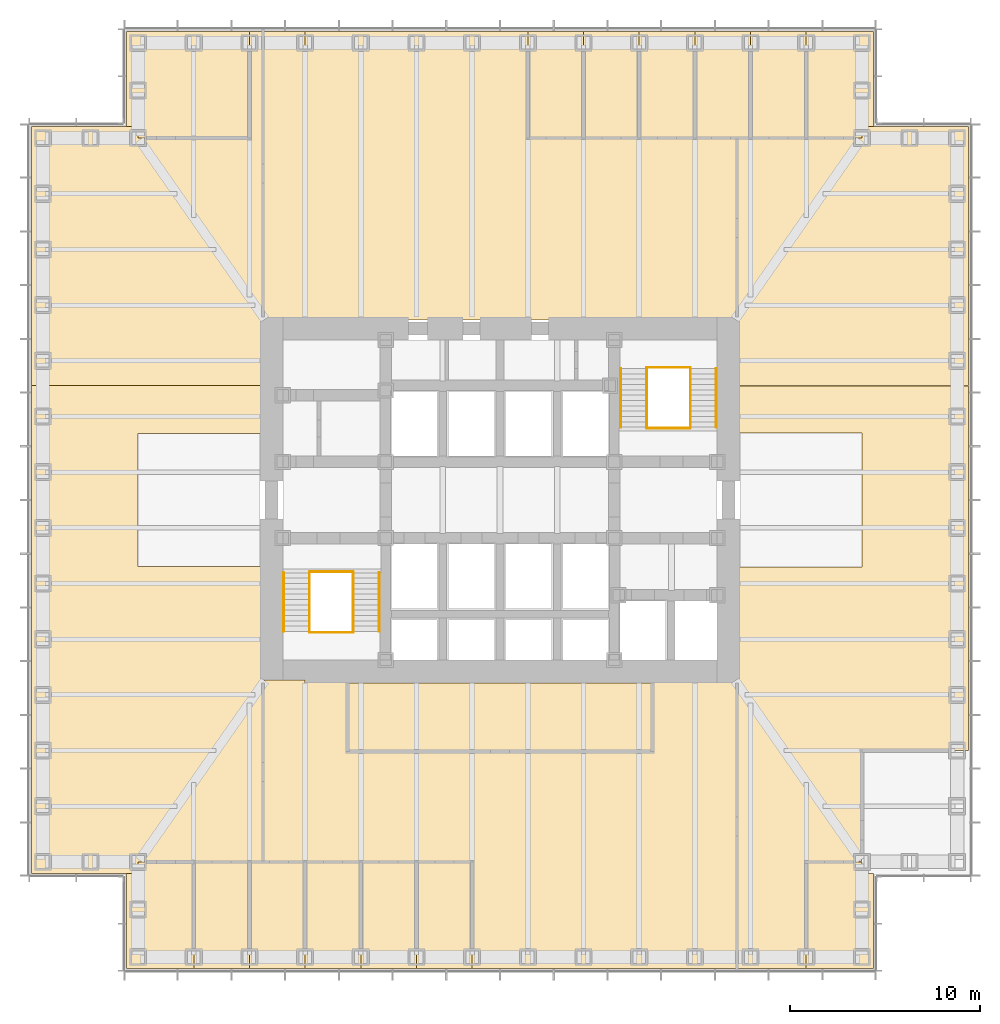
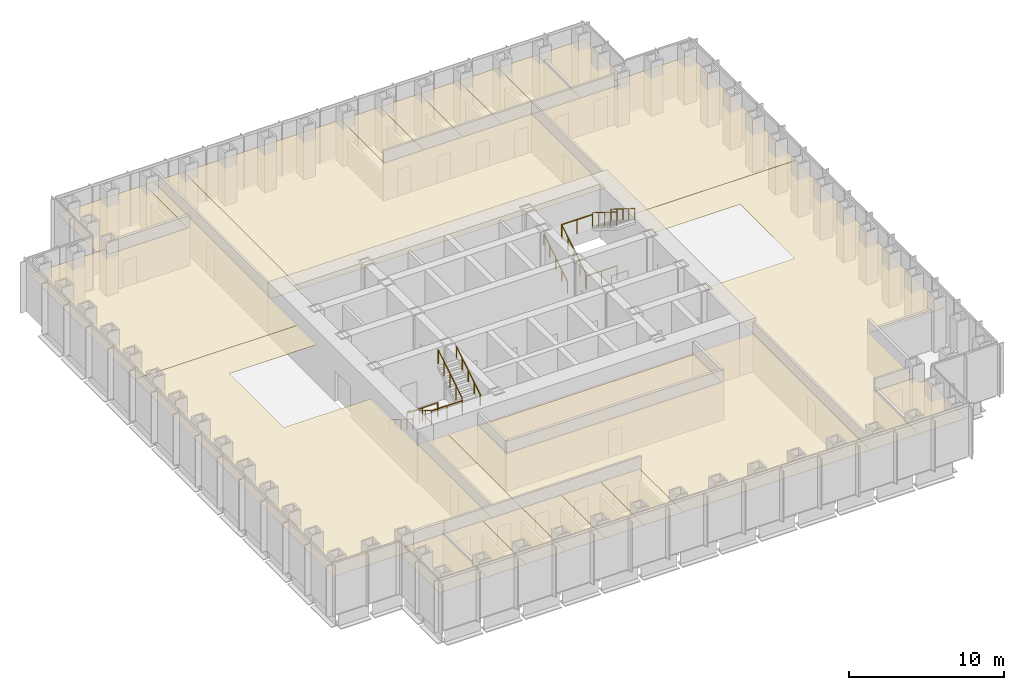
# One storey, part 17 of 17: 23 coverings, 12 railings.
"""IFC4 building model written with IfcOpenShell, lengths in metres."""

from ifc_helpers import new_model, si_unit, direction, frame, origin, origin_2d, place, context, subcontext, project, spatial, polyline, circle, outline, extrude, material, layer, layer_set, type_object, element, save


model = new_model("IFC4")

# Units and contexts
model_context = context("Model", 3, precision=1e-05, world=origin(), true_north=direction((0.0, 1.0)))
body_context = subcontext(model_context, "Body", "Model", "MODEL_VIEW")
ifc_project = project(units=[si_unit("LENGTHUNIT", "METRE"), si_unit("AREAUNIT", "SQUARE_METRE"), si_unit("VOLUMEUNIT", "CUBIC_METRE"), si_unit("PLANEANGLEUNIT", "RADIAN"), si_unit("MASSUNIT", "GRAM", prefix="KILO")], contexts=[model_context])

# Site, building, storey
site_placement = place(None, origin())
site = spatial("IfcSite", under=ifc_project, at=site_placement, CompositionType="ELEMENT")
building_placement = place(site_placement, origin())
building = spatial("IfcBuilding", under=site, at=building_placement, Name="Daluyong Arena Tower", CompositionType="ELEMENT")
storey_placement = place(building_placement, frame((0.0, 0.0, 97.89990234375)))
storey = spatial("IfcBuildingStorey", under=building, at=storey_placement, Name="L21", CompositionType="ELEMENT", Elevation=97.89990234375)

# Coverings
ifc_material_1 = material(Name="Mineral fibre ceiling tile", Category="gypsum board")
ifc_layer = layer(ifc_material_1, 0.02001953125)
ifc_layer_set = layer_set([ifc_layer], Name="Mineral fibre ceiling tile")
covering_type = type_object("IfcCoveringType", Name="Office ceiling", PredefinedType="CEILING", material=ifc_layer_set)
covering_1_placement = place(storey_placement, frame((0.0, 0.0, 2.900146484375)))
element("IfcCovering", 1, at=covering_1_placement, inside=storey, type_object=covering_type, Name="ceiling L21-01", PredefinedType="CEILING", context=body_context, shape_type="SweptSolid", body=[
    extrude(outline(polyline([(36.39990234375, 60.39990234375), (36.39990234375, 55.39990234375), (39.923095703125, 55.39990234375), (39.923095703125, 61.0), (37.0, 61.0), (37.0, 60.39990234375), (36.39990234375, 60.39990234375)])), origin(), (0.0, 0.0, 1.0), 0.02001953125),
])
covering_2_placement = place(storey_placement, frame((0.0, 0.0, 2.900146484375)))
element("IfcCovering", 2, at=covering_2_placement, inside=storey, type_object=covering_type, Name="ceiling L21-02", PredefinedType="CEILING", context=body_context, shape_type="SweptSolid", body=[
    extrude(outline(polyline([(39.923095703125, 61.0), (39.923095703125, 55.39990234375), (42.84619140625, 55.39990234375), (42.84619140625, 61.0), (39.923095703125, 61.0)])), origin(), (0.0, 0.0, 1.0), 0.02001953125),
])
covering_3_placement = place(storey_placement, frame((0.0, 0.0, 2.900146484375)))
element("IfcCovering", 3, at=covering_3_placement, inside=storey, type_object=covering_type, Name="ceiling L21-03", PredefinedType="CEILING", context=body_context, shape_type="SweptSolid", body=[
    extrude(outline(polyline([(42.84619140625, 61.0), (42.84619140625, 55.39990234375), (45.769287109375, 55.39990234375), (45.769287109375, 61.0), (42.84619140625, 61.0)])), origin(), (0.0, 0.0, 1.0), 0.02001953125),
])
covering_4_placement = place(storey_placement, frame((0.0, 0.0, 2.900146484375)))
element("IfcCovering", 4, at=covering_4_placement, inside=storey, type_object=covering_type, Name="ceiling L21-04", PredefinedType="CEILING", context=body_context, shape_type="SweptSolid", body=[
    extrude(outline(polyline([(45.769287109375, 61.0), (45.769287109375, 55.39990234375), (48.6923828125, 55.39990234375), (48.6923828125, 61.0), (45.769287109375, 61.0)])), origin(), (0.0, 0.0, 1.0), 0.02001953125),
])
covering_5_placement = place(storey_placement, frame((0.0, 0.0, 2.900146484375)))
element("IfcCovering", 5, at=covering_5_placement, inside=storey, type_object=covering_type, Name="ceiling L21-05", PredefinedType="CEILING", context=body_context, shape_type="SweptSolid", body=[
    extrude(outline(polyline([(48.6923828125, 61.0), (48.6923828125, 55.39990234375), (51.615478515625, 55.39990234375), (51.615478515625, 61.0), (48.6923828125, 61.0)])), origin(), (0.0, 0.0, 1.0), 0.02001953125),
])
covering_6_placement = place(storey_placement, frame((0.0, 0.0, 2.900146484375)))
element("IfcCovering", 6, at=covering_6_placement, inside=storey, type_object=covering_type, Name="ceiling L21-06", PredefinedType="CEILING", context=body_context, shape_type="SweptSolid", body=[
    extrude(outline(polyline([(51.615478515625, 61.0), (51.615478515625, 55.39990234375), (54.53857421875, 55.39990234375), (54.53857421875, 61.0), (51.615478515625, 61.0)])), origin(), (0.0, 0.0, 1.0), 0.02001953125),
])
covering_7_placement = place(storey_placement, frame((0.0, 0.0, 2.900146484375)))
element("IfcCovering", 7, at=covering_7_placement, inside=storey, type_object=covering_type, Name="ceiling L21-07", PredefinedType="CEILING", context=body_context, shape_type="SweptSolid", body=[
    extrude(outline(polyline([(75.60009765625, 55.39990234375), (75.60009765625, 60.39990234375), (75.0, 60.39990234375), (75.0, 61.0), (72.076904296875, 61.0), (72.076904296875, 55.39990234375), (75.60009765625, 55.39990234375)])), origin(), (0.0, 0.0, 1.0), 0.02001953125),
])
covering_8_placement = place(storey_placement, frame((0.0, 0.0, 2.900146484375)))
element("IfcCovering", 8, at=covering_8_placement, inside=storey, type_object=covering_type, Name="ceiling L21-09", PredefinedType="CEILING", context=body_context, shape_type="SweptSolid", body=[
    extrude(outline(polyline([(42.84619140625, 99.0), (42.84619140625, 104.60009765625), (36.39990234375, 104.60009765625), (36.39990234375, 99.60009765625), (37.0, 99.60009765625), (37.0, 99.0), (42.84619140625, 99.0)])), origin(), (0.0, 0.0, 1.0), 0.02001953125),
])
covering_9_placement = place(storey_placement, frame((0.0, 0.0, 2.900146484375)))
element("IfcCovering", 9, at=covering_9_placement, inside=storey, type_object=covering_type, Name="ceiling L21-10", PredefinedType="CEILING", context=body_context, shape_type="SweptSolid", body=[
    extrude(outline(polyline([(60.384521484375, 99.0), (60.384521484375, 104.60009765625), (57.46142578125, 104.60009765625), (57.46142578125, 99.0), (60.384521484375, 99.0)])), origin(), (0.0, 0.0, 1.0), 0.02001953125),
])
covering_10_placement = place(storey_placement, frame((0.0, 0.0, 2.900146484375)))
element("IfcCovering", 10, at=covering_10_placement, inside=storey, type_object=covering_type, Name="ceiling L21-11", PredefinedType="CEILING", context=body_context, shape_type="SweptSolid", body=[
    extrude(outline(polyline([(63.3076171875, 99.0), (63.3076171875, 104.60009765625), (60.384521484375, 104.60009765625), (60.384521484375, 99.0), (63.3076171875, 99.0)])), origin(), (0.0, 0.0, 1.0), 0.02001953125),
])
covering_11_placement = place(storey_placement, frame((0.0, 0.0, 2.900146484375)))
element("IfcCovering", 11, at=covering_11_placement, inside=storey, type_object=covering_type, Name="ceiling L21-12", PredefinedType="CEILING", context=body_context, shape_type="SweptSolid", body=[
    extrude(outline(polyline([(66.230712890625, 99.0), (66.230712890625, 104.60009765625), (63.3076171875, 104.60009765625), (63.3076171875, 99.0), (66.230712890625, 99.0)])), origin(), (0.0, 0.0, 1.0), 0.02001953125),
])
covering_12_placement = place(storey_placement, frame((0.0, 0.0, 2.900146484375)))
element("IfcCovering", 12, at=covering_12_placement, inside=storey, type_object=covering_type, Name="ceiling L21-13", PredefinedType="CEILING", context=body_context, shape_type="SweptSolid", body=[
    extrude(outline(polyline([(69.15380859375, 99.0), (69.15380859375, 104.60009765625), (66.230712890625, 104.60009765625), (66.230712890625, 99.0), (69.15380859375, 99.0)])), origin(), (0.0, 0.0, 1.0), 0.02001953125),
])
covering_13_placement = place(storey_placement, frame((0.0, 0.0, 2.900146484375)))
element("IfcCovering", 13, at=covering_13_placement, inside=storey, type_object=covering_type, Name="ceiling L21-14", PredefinedType="CEILING", context=body_context, shape_type="SweptSolid", body=[
    extrude(outline(polyline([(72.076904296875, 99.0), (72.076904296875, 104.60009765625), (69.15380859375, 104.60009765625), (69.15380859375, 99.0), (72.076904296875, 99.0)])), origin(), (0.0, 0.0, 1.0), 0.02001953125),
])
covering_14_placement = place(storey_placement, frame((0.0, 0.0, 2.900146484375)))
element("IfcCovering", 14, at=covering_14_placement, inside=storey, type_object=covering_type, Name="ceiling L21-15", PredefinedType="CEILING", context=body_context, shape_type="SweptSolid", body=[
    extrude(outline(polyline([(72.076904296875, 99.0), (75.0, 99.0), (75.0, 99.60009765625), (75.60009765625, 99.60009765625), (75.60009765625, 104.60009765625), (72.076904296875, 104.60009765625), (72.076904296875, 99.0)])), origin(), (0.0, 0.0, 1.0), 0.02001953125),
])
covering_15_placement = place(storey_placement, frame((0.0, 0.0, 2.900146484375)))
element("IfcCovering", 15, at=covering_15_placement, inside=storey, type_object=covering_type, Name="ceiling L21-16", PredefinedType="CEILING", context=body_context, shape_type="SweptSolid", body=[
    extrude(outline(polyline([(48.0, 66.800048828125), (64.0, 66.800048828125), (64.0, 70.39990234375), (48.0, 70.39990234375), (48.0, 66.800048828125)])), origin(), (0.0, 0.0, 1.0), 0.02001953125),
])
covering_16_placement = place(storey_placement, frame((0.0, 0.0, 2.900146484375)))
element("IfcCovering", 16, at=covering_16_placement, inside=storey, type_object=covering_type, Name="ceiling L21-19", PredefinedType="CEILING", context=body_context, shape_type="SweptSolid", body=[
    extrude(outline(polyline([(43.550048828125, 61.0), (45.769287109375, 61.0), (45.769287109375, 70.550048828125), (43.550048828125, 70.550048828125), (43.550048828125, 61.0)])), origin(), (0.0, 0.0, 1.0), 0.02001953125),
])
covering_17_placement = place(storey_placement, frame((0.0, 0.0, 2.900146484375)))
element("IfcCovering", 17, at=covering_17_placement, inside=storey, type_object=covering_type, Name="ceiling L21-20", PredefinedType="CEILING", context=body_context, shape_type="SweptSolid", body=[
    extrude(outline(polyline([(54.53857421875, 55.39990234375), (68.449951171875, 55.39990234375), (68.449951171875, 70.550048828125), (45.769287109375, 70.550048828125), (45.769287109375, 61.0), (54.53857421875, 61.0), (54.53857421875, 55.39990234375)]), holes=[polyline([(48.0, 66.800048828125), (48.0, 70.39990234375), (64.0, 70.39990234375), (64.0, 66.800048828125), (48.0, 66.800048828125)])]), origin(), (0.0, 0.0, 1.0), 0.02001953125),
])
covering_18_placement = place(storey_placement, frame((0.0, 0.0, 2.900146484375)))
element("IfcCovering", 18, at=covering_18_placement, inside=storey, type_object=covering_type, Name="ceiling L21-21", PredefinedType="CEILING", context=body_context, shape_type="SweptSolid", body=[
    extrude(outline(polyline([(45.769287109375, 104.60009765625), (43.550048828125, 104.60009765625), (43.550048828125, 89.449951171875), (45.769287109375, 89.449951171875), (45.769287109375, 104.60009765625)])), origin(), (0.0, 0.0, 1.0), 0.02001953125),
])
covering_19_placement = place(storey_placement, frame((0.0, 0.0, 2.900146484375)))
element("IfcCovering", 19, at=covering_19_placement, inside=storey, type_object=covering_type, Name="ceiling L21-22", PredefinedType="CEILING", context=body_context, shape_type="SweptSolid", body=[
    extrude(outline(polyline([(57.46142578125, 104.60009765625), (45.769287109375, 104.60009765625), (45.769287109375, 89.449951171875), (68.449951171875, 89.449951171875), (68.449951171875, 99.0), (57.46142578125, 99.0), (57.46142578125, 104.60009765625)])), origin(), (0.0, 0.0, 1.0), 0.02001953125),
])
covering_20_placement = place(storey_placement, frame((0.0, 0.0, 2.900146484375)))
element("IfcCovering", 20, at=covering_20_placement, inside=storey, type_object=covering_type, Name="ceiling L21-23", PredefinedType="CEILING", context=body_context, shape_type="SweptSolid", body=[
    extrude(outline(polyline([(43.550048828125, 61.0), (43.550048828125, 76.5), (37.0, 76.5), (37.0, 83.5), (43.550048828125, 83.5), (43.550048828125, 86.0), (31.39990234375, 86.0), (31.39990234375, 60.39990234375), (37.0, 60.39990234375), (37.0, 61.0), (43.550048828125, 61.0)])), origin(), (0.0, 0.0, 1.0), 0.02001953125),
])
covering_21_placement = place(storey_placement, frame((0.0, 0.0, 2.900146484375)))
element("IfcCovering", 21, at=covering_21_placement, inside=storey, type_object=covering_type, Name="ceiling L21-24", PredefinedType="CEILING", context=body_context, shape_type="SweptSolid", body=[
    extrude(outline(polyline([(37.0, 99.60009765625), (31.39990234375, 99.60009765625), (31.39990234375, 86.0), (43.550048828125, 86.0), (43.550048828125, 104.60009765625), (42.84619140625, 104.60009765625), (42.84619140625, 99.0), (37.0, 99.0), (37.0, 99.60009765625)])), origin(), (0.0, 0.0, 1.0), 0.02001953125),
])
covering_22_placement = place(storey_placement, frame((0.0, 0.0, 2.900146484375)))
element("IfcCovering", 22, at=covering_22_placement, inside=storey, type_object=covering_type, Name="ceiling L21-25", PredefinedType="CEILING", context=body_context, shape_type="SweptSolid", body=[
    extrude(outline(polyline([(74.989990234375, 61.010009765625), (74.989990234375, 66.856201171875), (80.590087890625, 66.856201171875), (80.590087890625, 85.989990234375), (68.4599609375, 85.989990234375), (68.4599609375, 83.510009765625), (75.010009765625, 83.510009765625), (75.010009765625, 76.489990234375), (68.4599609375, 76.489990234375), (68.4599609375, 55.409912109375), (72.06689453125, 55.409912109375), (72.06689453125, 61.010009765625), (74.989990234375, 61.010009765625)])), origin(), (0.0, 0.0, 1.0), 0.02001953125),
])
covering_23_placement = place(storey_placement, frame((0.0, 0.0, 2.900146484375)))
element("IfcCovering", 23, at=covering_23_placement, inside=storey, type_object=covering_type, Name="ceiling L21-26", PredefinedType="CEILING", context=body_context, shape_type="SweptSolid", body=[
    extrude(outline(polyline([(68.449951171875, 99.0), (68.449951171875, 86.0), (80.60009765625, 86.0), (80.60009765625, 99.60009765625), (75.0, 99.60009765625), (75.0, 99.0), (68.449951171875, 99.0)])), origin(), (0.0, 0.0, 1.0), 0.02001953125),
])

# Railings
ifc_material_2 = material(Name="Stainless steel handrail", Category="steel")
railing_type_1 = type_object("IfcRailingType", Name="Stair handrail", PredefinedType="HANDRAIL", material=ifc_material_2)
railing_1_placement = place(storey_placement, frame((44.64990234375, 76.175048828125, 0.175048828125)))
element("IfcRailing", 24, at=railing_1_placement, inside=storey, type_object=railing_type_1, Name="exit stair A handrail L21", PredefinedType="HANDRAIL", context=body_context, shape_type="SweptSolid", body=[
    extrude(circle(Radius=0.02392578125, at=origin_2d()), frame((0.0, 0.0, 0.8759765625), z_axis=(0.0, -0.847998304005, 0.529998940003), x_axis=(1.0, 0.0, 0.0)), (0.0, 0.0, 1.0), 3.632080078125),
    extrude(circle(Radius=0.02099609375, at=origin_2d()), origin(), (0.0, 0.0, 1.0), 0.851806640625),
    extrude(circle(Radius=0.02099609375, at=origin_2d()), frame((0.0, -0.77001953125, 0.481201171875)), (0.0, 0.0, 1.0), 0.851806640625),
    extrude(circle(Radius=0.02099609375, at=origin_2d()), frame((0.0, -1.5400390625, 0.96240234375)), (0.0, 0.0, 1.0), 0.851806640625),
    extrude(circle(Radius=0.02099609375, at=origin_2d()), frame((0.0, -2.31005859375, 1.44384765625)), (0.0, 0.0, 1.0), 0.851806640625),
    extrude(circle(Radius=0.02099609375, at=origin_2d()), frame((0.0, -3.080078125, 1.925048828125)), (0.0, 0.0, 1.0), 0.851806640625),
])
for number, where, name in (
    (25, (49.64990234375, 73.094970703125, 2.275146484375), "exit stair A handrail L21"),
    (26, (62.35009765625, 83.824951171875, 0.175048828125), "exit stair B handrail L21"),
):
    element("IfcRailing", number, at=place(storey_placement, frame(where)), inside=storey, type_object=railing_type_1, Name=name, PredefinedType="HANDRAIL", context=body_context, shape_type="SweptSolid", body=[
        extrude(circle(Radius=0.02392578125, at=origin_2d()), frame((0.0, 0.0, 0.8759765625), z_axis=(0.0, 0.847998304005, 0.529998940003), x_axis=(-1.0, 0.0, 0.0)), (0.0, 0.0, 1.0), 3.632080078125),
        extrude(circle(Radius=0.02099609375, at=origin_2d()), origin(), (0.0, 0.0, 1.0), 0.851806640625),
        extrude(circle(Radius=0.02099609375, at=origin_2d()), frame((0.0, 0.77001953125, 0.481201171875)), (0.0, 0.0, 1.0), 0.851806640625),
        extrude(circle(Radius=0.02099609375, at=origin_2d()), frame((0.0, 1.5400390625, 0.96240234375)), (0.0, 0.0, 1.0), 0.851806640625),
        extrude(circle(Radius=0.02099609375, at=origin_2d()), frame((0.0, 2.31005859375, 1.44384765625)), (0.0, 0.0, 1.0), 0.851806640625),
        extrude(circle(Radius=0.02099609375, at=origin_2d()), frame((0.0, 3.080078125, 1.925048828125)), (0.0, 0.0, 1.0), 0.851806640625),
    ])
railing_2_placement = place(storey_placement, frame((67.35009765625, 86.905029296875, 2.275146484375)))
element("IfcRailing", 27, at=railing_2_placement, inside=storey, type_object=railing_type_1, Name="exit stair B handrail L21", PredefinedType="HANDRAIL", context=body_context, shape_type="SweptSolid", body=[
    extrude(circle(Radius=0.02392578125, at=origin_2d()), frame((0.0, 0.0, 0.8759765625), z_axis=(0.0, -0.847998304005, 0.529998940003), x_axis=(1.0, 0.0, 0.0)), (0.0, 0.0, 1.0), 3.632080078125),
    extrude(circle(Radius=0.02099609375, at=origin_2d()), origin(), (0.0, 0.0, 1.0), 0.851806640625),
    extrude(circle(Radius=0.02099609375, at=origin_2d()), frame((0.0, -0.77001953125, 0.481201171875)), (0.0, 0.0, 1.0), 0.851806640625),
    extrude(circle(Radius=0.02099609375, at=origin_2d()), frame((0.0, -1.5400390625, 0.96240234375)), (0.0, 0.0, 1.0), 0.851806640625),
    extrude(circle(Radius=0.02099609375, at=origin_2d()), frame((0.0, -2.31005859375, 1.44384765625)), (0.0, 0.0, 1.0), 0.851806640625),
    extrude(circle(Radius=0.02099609375, at=origin_2d()), frame((0.0, -3.080078125, 1.925048828125)), (0.0, 0.0, 1.0), 0.851806640625),
])
ifc_material_3 = material(Name="Steel balustrade", Category="steel")
railing_type_2 = type_object("IfcRailingType", Name="Stair well guard 1100", PredefinedType="GUARDRAIL", material=ifc_material_3)
railing_3_placement = place(storey_placement, frame((46.0, 76.175048828125, 0.175048828125)))
element("IfcRailing", 28, at=railing_3_placement, inside=storey, type_object=railing_type_2, Name="exit stair A well guard L21", PredefinedType="GUARDRAIL", context=body_context, shape_type="SweptSolid", body=[
    extrude(circle(Radius=0.02392578125, at=origin_2d()), frame((0.0, 0.0, 1.076171875), z_axis=(0.0, -0.847998304005, 0.529998940003), x_axis=(1.0, 0.0, 0.0)), (0.0, 0.0, 1.0), 3.632080078125),
    extrude(circle(Radius=0.02099609375, at=origin_2d()), origin(), (0.0, 0.0, 1.0), 1.052001953125),
    extrude(circle(Radius=0.02099609375, at=origin_2d()), frame((0.0, -0.77001953125, 0.481201171875)), (0.0, 0.0, 1.0), 1.052001953125),
    extrude(circle(Radius=0.02099609375, at=origin_2d()), frame((0.0, -1.5400390625, 0.96240234375)), (0.0, 0.0, 1.0), 1.052001953125),
    extrude(circle(Radius=0.02099609375, at=origin_2d()), frame((0.0, -2.31005859375, 1.44384765625)), (0.0, 0.0, 1.0), 1.052001953125),
    extrude(circle(Radius=0.02099609375, at=origin_2d()), frame((0.0, -3.080078125, 1.925048828125)), (0.0, 0.0, 1.0), 1.052001953125),
])
railing_4_placement = place(storey_placement, frame((48.300048828125, 73.094970703125, 2.275146484375)))
element("IfcRailing", 29, at=railing_4_placement, inside=storey, type_object=railing_type_2, Name="exit stair A well guard L21", PredefinedType="GUARDRAIL", context=body_context, shape_type="SweptSolid", body=[
    extrude(circle(Radius=0.02392578125, at=origin_2d()), frame((0.0, 0.0, 1.076171875), z_axis=(0.0, 0.847998304005, 0.529998940003), x_axis=(-1.0, 0.0, 0.0)), (0.0, 0.0, 1.0), 3.632080078125),
    extrude(circle(Radius=0.02099609375, at=origin_2d()), origin(), (0.0, 0.0, 1.0), 1.052001953125),
    extrude(circle(Radius=0.02099609375, at=origin_2d()), frame((0.0, 0.77001953125, 0.481201171875)), (0.0, 0.0, 1.0), 1.052001953125),
    extrude(circle(Radius=0.02099609375, at=origin_2d()), frame((0.0, 1.5400390625, 0.96240234375)), (0.0, 0.0, 1.0), 1.052001953125),
    extrude(circle(Radius=0.02099609375, at=origin_2d()), frame((0.0, 2.31005859375, 1.44384765625)), (0.0, 0.0, 1.0), 1.052001953125),
    extrude(circle(Radius=0.02099609375, at=origin_2d()), frame((0.0, 3.080078125, 1.925048828125)), (0.0, 0.0, 1.0), 1.052001953125),
])
for number, where, name in (
    (30, (46.0, 73.044921875, 2.10009765625), "exit stair A landing guard L21"),
    (31, (46.0, 76.22509765625, 0.0), "exit stair A floor landing guard L21"),
):
    element("IfcRailing", number, at=place(storey_placement, frame(where)), inside=storey, type_object=railing_type_2, Name=name, PredefinedType="GUARDRAIL", context=body_context, shape_type="SweptSolid", body=[
        extrude(circle(Radius=0.02392578125, at=origin_2d()), frame((0.0, 0.0, 1.076171875), z_axis=(1.0, 0.0, 0.0), x_axis=(0.0, 1.0, 0.0)), (0.0, 0.0, 1.0), 2.300048828125),
        extrude(circle(Radius=0.02099609375, at=origin_2d()), origin(), (0.0, 0.0, 1.0), 1.052001953125),
        extrude(circle(Radius=0.02099609375, at=origin_2d()), frame((1.14990234375, 0.0, 0.0)), (0.0, 0.0, 1.0), 1.052001953125),
        extrude(circle(Radius=0.02099609375, at=origin_2d()), frame((2.300048828125, 0.0, 0.0)), (0.0, 0.0, 1.0), 1.052001953125),
    ])
railing_5_placement = place(storey_placement, frame((63.699951171875, 83.824951171875, 0.175048828125)))
element("IfcRailing", 32, at=railing_5_placement, inside=storey, type_object=railing_type_2, Name="exit stair B well guard L21", PredefinedType="GUARDRAIL", context=body_context, shape_type="SweptSolid", body=[
    extrude(circle(Radius=0.02392578125, at=origin_2d()), frame((0.0, 0.0, 1.076171875), z_axis=(0.0, 0.847998304005, 0.529998940003), x_axis=(-1.0, 0.0, 0.0)), (0.0, 0.0, 1.0), 3.632080078125),
    extrude(circle(Radius=0.02099609375, at=origin_2d()), origin(), (0.0, 0.0, 1.0), 1.052001953125),
    extrude(circle(Radius=0.02099609375, at=origin_2d()), frame((0.0, 0.77001953125, 0.481201171875)), (0.0, 0.0, 1.0), 1.052001953125),
    extrude(circle(Radius=0.02099609375, at=origin_2d()), frame((0.0, 1.5400390625, 0.96240234375)), (0.0, 0.0, 1.0), 1.052001953125),
    extrude(circle(Radius=0.02099609375, at=origin_2d()), frame((0.0, 2.31005859375, 1.44384765625)), (0.0, 0.0, 1.0), 1.052001953125),
    extrude(circle(Radius=0.02099609375, at=origin_2d()), frame((0.0, 3.080078125, 1.925048828125)), (0.0, 0.0, 1.0), 1.052001953125),
])
railing_6_placement = place(storey_placement, frame((66.0, 86.905029296875, 2.275146484375)))
element("IfcRailing", 33, at=railing_6_placement, inside=storey, type_object=railing_type_2, Name="exit stair B well guard L21", PredefinedType="GUARDRAIL", context=body_context, shape_type="SweptSolid", body=[
    extrude(circle(Radius=0.02392578125, at=origin_2d()), frame((0.0, 0.0, 1.076171875), z_axis=(0.0, -0.847998304005, 0.529998940003), x_axis=(1.0, 0.0, 0.0)), (0.0, 0.0, 1.0), 3.632080078125),
    extrude(circle(Radius=0.02099609375, at=origin_2d()), origin(), (0.0, 0.0, 1.0), 1.052001953125),
    extrude(circle(Radius=0.02099609375, at=origin_2d()), frame((0.0, -0.77001953125, 0.481201171875)), (0.0, 0.0, 1.0), 1.052001953125),
    extrude(circle(Radius=0.02099609375, at=origin_2d()), frame((0.0, -1.5400390625, 0.96240234375)), (0.0, 0.0, 1.0), 1.052001953125),
    extrude(circle(Radius=0.02099609375, at=origin_2d()), frame((0.0, -2.31005859375, 1.44384765625)), (0.0, 0.0, 1.0), 1.052001953125),
    extrude(circle(Radius=0.02099609375, at=origin_2d()), frame((0.0, -3.080078125, 1.925048828125)), (0.0, 0.0, 1.0), 1.052001953125),
])
for number, where, name in (
    (34, (63.699951171875, 86.955078125, 2.10009765625), "exit stair B landing guard L21"),
    (35, (63.699951171875, 83.77490234375, 0.0), "exit stair B floor landing guard L21"),
):
    element("IfcRailing", number, at=place(storey_placement, frame(where)), inside=storey, type_object=railing_type_2, Name=name, PredefinedType="GUARDRAIL", context=body_context, shape_type="SweptSolid", body=[
        extrude(circle(Radius=0.02392578125, at=origin_2d()), frame((0.0, 0.0, 1.076171875), z_axis=(1.0, 0.0, 0.0), x_axis=(0.0, 1.0, 0.0)), (0.0, 0.0, 1.0), 2.300048828125),
        extrude(circle(Radius=0.02099609375, at=origin_2d()), origin(), (0.0, 0.0, 1.0), 1.052001953125),
        extrude(circle(Radius=0.02099609375, at=origin_2d()), frame((1.14990234375, 0.0, 0.0)), (0.0, 0.0, 1.0), 1.052001953125),
        extrude(circle(Radius=0.02099609375, at=origin_2d()), frame((2.300048828125, 0.0, 0.0)), (0.0, 0.0, 1.0), 1.052001953125),
    ])

save(model, "model.ifc")
